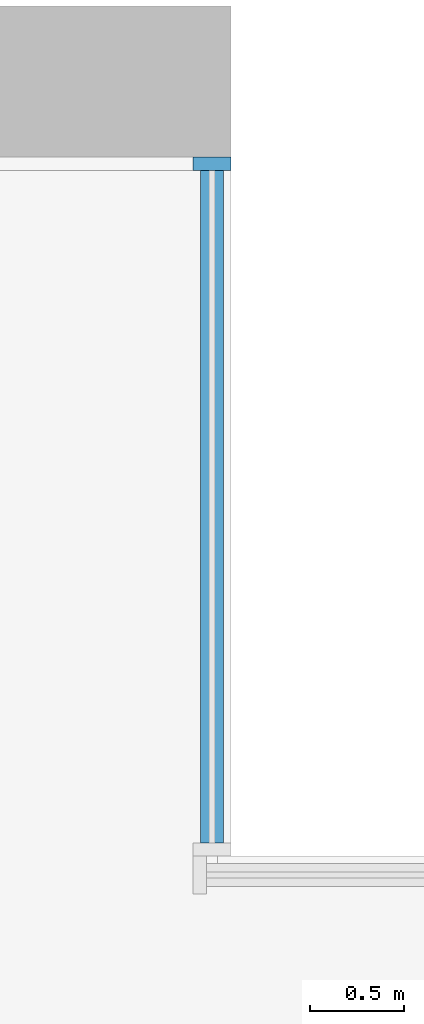
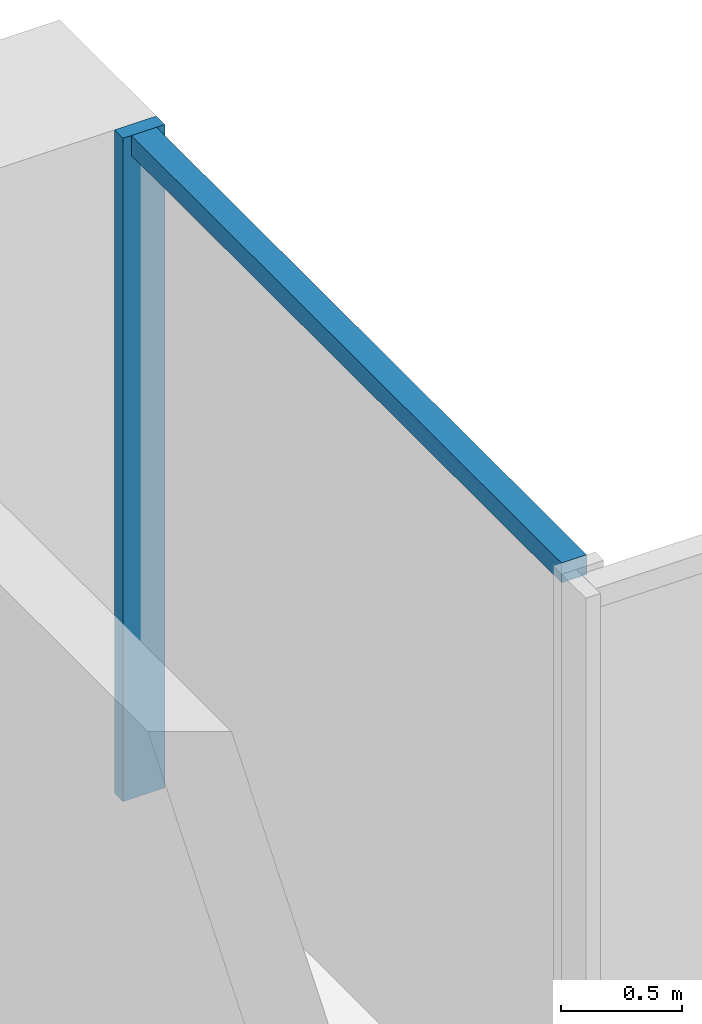
# One storey, part 6 of 15: 2 members, 1 element without a shape of its own.
"""IFC4 building model written with IfcOpenShell, lengths in metres."""

from ifc_helpers import new_model, si_unit, direction, frame, origin, origin_2d, place, context, subcontext, project, spatial, rectangle, extrude, material, material_profile, profile_set, type_object, element, aggregate, save


model = new_model("IFC4")

# Units and contexts
model_context = context("Model", 3, precision=1e-05, world=origin(), true_north=direction((0.0, 1.0)))
body_context = subcontext(model_context, "Body", "Model", "MODEL_VIEW")
ifc_project = project(units=[si_unit("LENGTHUNIT", "METRE"), si_unit("AREAUNIT", "SQUARE_METRE"), si_unit("VOLUMEUNIT", "CUBIC_METRE"), si_unit("PLANEANGLEUNIT", "RADIAN"), si_unit("MASSUNIT", "GRAM", prefix="KILO")], contexts=[model_context])

# Site, building, storey
site_placement = place(None, origin())
site = spatial("IfcSite", under=ifc_project, at=site_placement, CompositionType="ELEMENT")
building_placement = place(site_placement, origin())
building = spatial("IfcBuilding", under=site, at=building_placement, Name="Calvaro Tower", CompositionType="ELEMENT")
storey_placement = place(building_placement, frame((0.0, 0.0, 147.5)))
storey = spatial("IfcBuildingStorey", under=building, at=storey_placement, Name="L37", CompositionType="ELEMENT", Elevation=147.5)

# Curtain wall, members
ifc_material_1 = material(Name="Anodised aluminium", Category="aluminium")
curtain_wall_type = type_object("IfcCurtainWallType", Name="Office curtain wall, middle zone", PredefinedType="NOTDEFINED", material=ifc_material_1)
curtain_wall_placement = place(storey_placement, origin())
curtain_wall = element("IfcCurtainWall", 1, at=curtain_wall_placement, inside=storey, type_object=curtain_wall_type, Name="CW2 corner curtain wall", PredefinedType="NOTDEFINED")
ifc_material_2 = material(Name="Anodised aluminium", Category="aluminium")
ifc_material_profile_1 = material_profile(ifc_material_2, rectangle(XDim=0.199951171875, YDim=0.070068359375, at=origin_2d()), Name="Mullion S2 70 x 200")
ifc_profile_set_1 = profile_set([ifc_material_profile_1], Name="Anodised aluminium")
member_type_1 = type_object("IfcMemberType", Name="Mullion S2 70 x 200", PredefinedType="MULLION", material=ifc_profile_set_1)
member_1_placement = place(storey_placement, frame((66.35009765625, 45.1650390625, 0.0), z_axis=(0.0, 0.0, 1.0), x_axis=(-1.0, 0.0, 0.0)))
member_1 = element("IfcMember", 2, at=member_1_placement, type_object=member_type_1, Name="CW2 mullion 2", PredefinedType="MULLION", context=body_context, shape_type="SweptSolid", body=[
    extrude(rectangle(XDim=0.199951171875, YDim=0.070068359375, at=origin_2d()), origin(), (0.0, 0.0, 1.0), 3.35009765625),
])
ifc_material_3 = material(Name="Anodised aluminium", Category="aluminium")
ifc_material_profile_2 = material_profile(ifc_material_3, rectangle(XDim=0.1201171875, YDim=0.10009765625, at=origin_2d()), Name="Transom S2 100 x 120")
ifc_profile_set_2 = profile_set([ifc_material_profile_2], Name="Anodised aluminium")
member_type_2 = type_object("IfcMemberType", Name="Transom S2 100 x 120", PredefinedType="USERDEFINED", material=ifc_profile_set_2)
member_2_placement = place(storey_placement, frame((66.35009765625, 41.570068359375, 3.300048828125), z_axis=(0.0, 1.0, 0.0), x_axis=(-1.0, 0.0, 0.0)))
member_2 = element("IfcMember", 3, at=member_2_placement, type_object=member_type_2, Name="CW2 transom 1.1", ObjectType="TRANSOM", PredefinedType="USERDEFINED", context=body_context, shape_type="SweptSolid", body=[
    extrude(rectangle(XDim=0.1201171875, YDim=0.10009765625, at=origin_2d()), origin(), (0.0, 0.0, 1.0), 3.559814453125),
])
aggregate(curtain_wall, [member_1, member_2])

save(model, "model.ifc")
